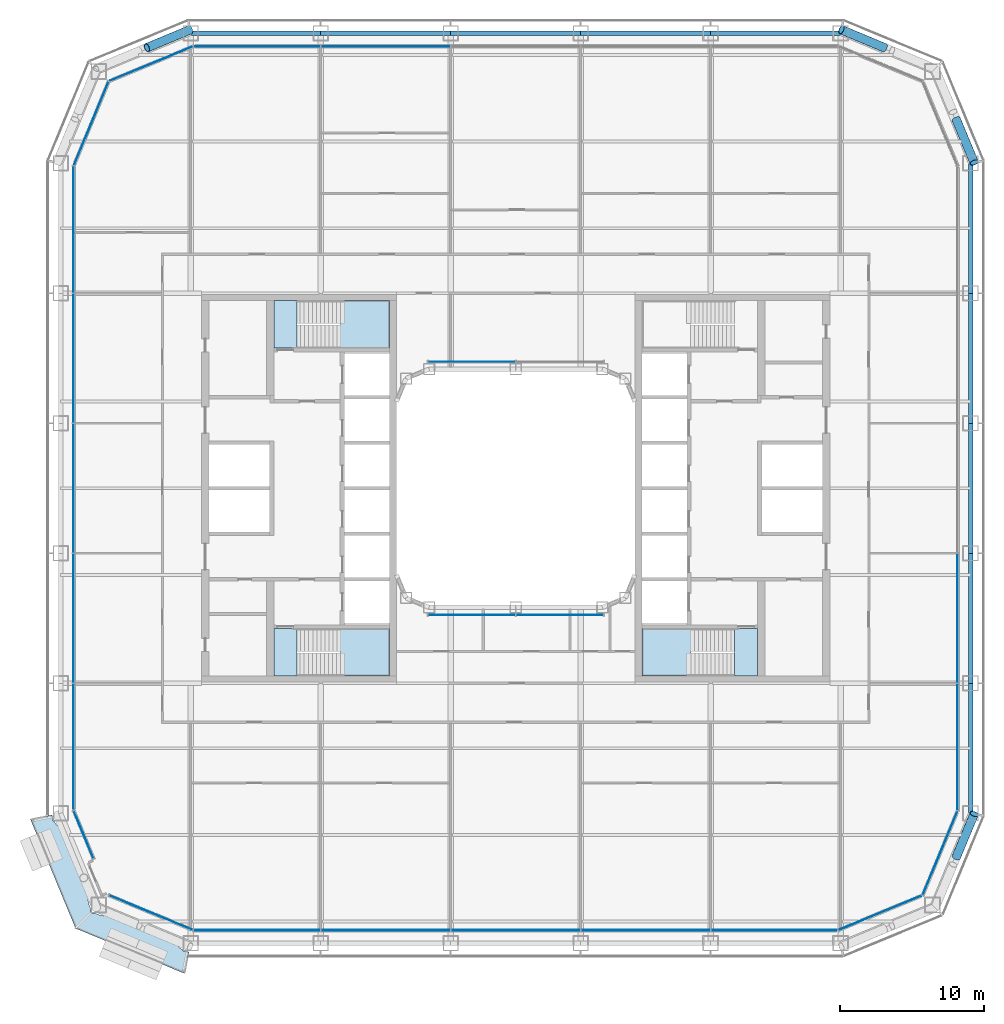
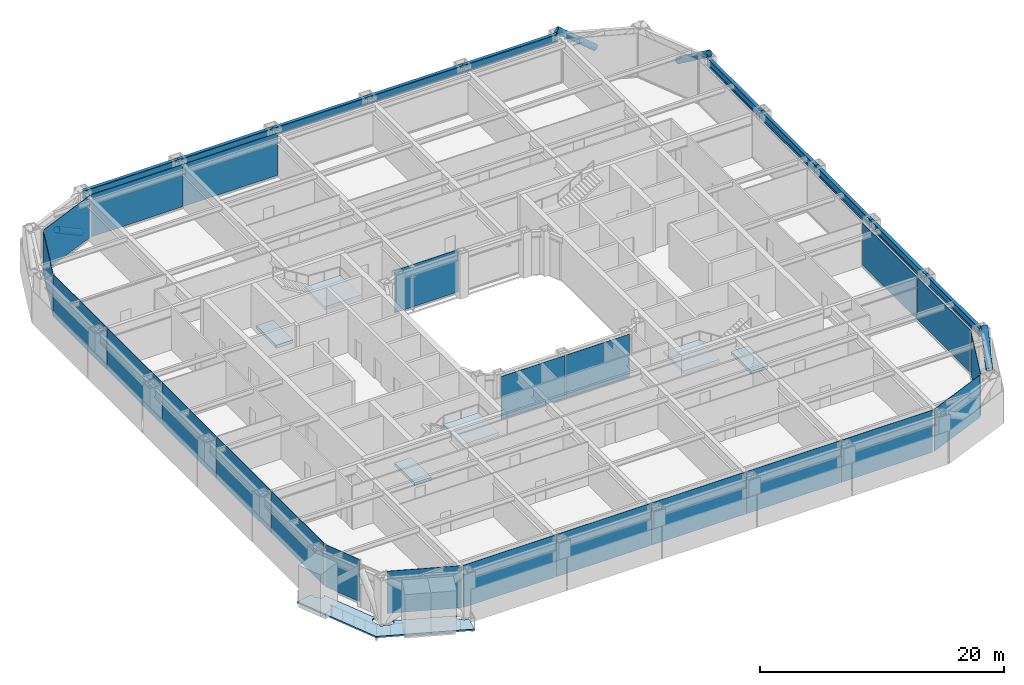
# One storey, part 11 of 27: 23 plates, 10 beams, 7 slabs, 4 members, 15 elements without a shape of their own.
"""IFC4 building model written with IfcOpenShell, lengths in metres."""

from ifc_helpers import new_model, si_unit, direction, frame, origin, origin_2d, place, context, subcontext, project, spatial, polyline, rectangle, hollow_circle, i_section, outline, extrude, material, layer, layer_set, material_profile, profile_set, type_object, element, aggregate, save


model = new_model("IFC4")

# Units and contexts
model_context = context("Model", 3, precision=1e-05, world=origin(), true_north=direction((0.0, 1.0)))
body_context = subcontext(model_context, "Body", "Model", "MODEL_VIEW")
ifc_project = project(units=[si_unit("LENGTHUNIT", "METRE"), si_unit("AREAUNIT", "SQUARE_METRE"), si_unit("VOLUMEUNIT", "CUBIC_METRE"), si_unit("PLANEANGLEUNIT", "RADIAN"), si_unit("MASSUNIT", "GRAM", prefix="KILO")], contexts=[model_context])

# Site, building, storey
site_placement = place(None, origin())
site = spatial("IfcSite", under=ifc_project, at=site_placement, CompositionType="ELEMENT")
building_placement = place(site_placement, origin())
building = spatial("IfcBuilding", under=site, at=building_placement, Name="Siwar Civic Tower", CompositionType="ELEMENT")
storey_placement = place(building_placement, frame((0.0, 0.0, 35.699951171875)))
storey = spatial("IfcBuildingStorey", under=building, at=storey_placement, Name="L07", CompositionType="ELEMENT", Elevation=35.699951171875)

# Members
ifc_material_1 = material(Name="Steel S355", Category="steel")
ifc_material_profile_1 = material_profile(ifc_material_1, hollow_circle(Radius=0.304931640625, WallThickness=0.030029296875, at=origin_2d()), Name="CHS610x30")
ifc_profile_set_1 = profile_set([ifc_material_profile_1], Name="Steel S355")
member_type = type_object("IfcMemberType", Name="STR-BR-CHS610x30", PredefinedType="BRACE", material=ifc_profile_set_1)
for number, where, z_axis, x_axis, name in (
    (1, (30.500244140625, -25.537353515625, 2.428466796875), (0.3238932121, 0.777559680196, 0.53897507446), (-0.923114847559, 0.384524353215, 0.0), "L07/brc/ASE1-6-0-3"),
    (2, (25.537353515625, 30.500244140625, 2.428466796875), (-0.777559680196, 0.3238932121, 0.53897507446), (-0.384524353215, -0.923114847559, 0.0), "L07/brc/ANE1-6-0-3"),
    (3, (30.500244140625, 25.537353515625, 2.428466796875), (0.3238932121, -0.777559680196, 0.53897507446), (0.923114847559, 0.384524353215, 0.0), "L07/brc/ANE1-6-0-5"),
    (4, (-22.548828125, 31.7451171875, 0.0), (-0.777533059308, -0.323882123145, 0.539020140617), (0.384524353215, -0.923114847559, 0.0), "L07/brc/ANW1-6-0-4"),
):
    element("IfcMember", number, at=place(storey_placement, frame(where, z_axis=z_axis, x_axis=x_axis)), inside=storey, type_object=member_type, Name=name, PredefinedType="BRACE", context=body_context, shape_type="SweptSolid", body=[
        extrude(hollow_circle(Radius=0.304931640625, WallThickness=0.030029296875, at=origin_2d()), origin(), (0.0, 0.0, 1.0), 3.843505859375),
    ])

# Beams
ifc_material_2 = material(Name="Steel S355", Category="steel")
ifc_material_profile_2 = material_profile(ifc_material_2, i_section(OverallWidth=0.302978515625, OverallDepth=0.81396484375, WebThickness=0.02099609375, FlangeThickness=0.0400390625, FilletRadius=0.030029296875, at=origin_2d()), Name="HEM800")
ifc_profile_set_2 = profile_set([ifc_material_profile_2], Name="Steel S355")
beam_type = type_object("IfcBeamType", Name="STR-SB-HEM800", PredefinedType="BEAM", material=ifc_profile_set_2)
for number, where, z_axis, x_axis, name in (
    (5, (31.5, -22.5, 3.943115234375), (0.0, 1.0, 0.0), (-1.0, 0.0, 0.0), "L07/bm/SE-0"),
    (6, (31.5, -13.5, 3.943115234375), (0.0, 1.0, 0.0), (-1.0, 0.0, 0.0), "L07/bm/SE-1"),
    (7, (31.5, -4.5, 3.943115234375), (0.0, 1.0, 0.0), (-1.0, 0.0, 0.0), "L07/bm/SE-2"),
    (8, (31.5, 4.5, 3.943115234375), (0.0, 1.0, 0.0), (-1.0, 0.0, 0.0), "L07/bm/SE-3"),
    (9, (31.5, 13.5, 3.943115234375), (0.0, 1.0, 0.0), (-1.0, 0.0, 0.0), "L07/bm/SE-4"),
    (10, (22.5, 31.5, 3.943115234375), (-1.0, 0.0, 0.0), (0.0, -1.0, 0.0), "L07/bm/SN-0"),
    (11, (13.5, 31.5, 3.943115234375), (-1.0, 0.0, 0.0), (0.0, -1.0, 0.0), "L07/bm/SN-1"),
    (12, (4.5, 31.5, 3.943115234375), (-1.0, 0.0, 0.0), (0.0, -1.0, 0.0), "L07/bm/SN-2"),
    (13, (-4.5, 31.5, 3.943115234375), (-1.0, 0.0, 0.0), (0.0, -1.0, 0.0), "L07/bm/SN-3"),
    (14, (-13.5, 31.5, 3.943115234375), (-1.0, 0.0, 0.0), (0.0, -1.0, 0.0), "L07/bm/SN-4"),
):
    element("IfcBeam", number, at=place(storey_placement, frame(where, z_axis=z_axis, x_axis=x_axis)), inside=storey, type_object=beam_type, Name=name, PredefinedType="BEAM", context=body_context, shape_type="SweptSolid", body=[
        extrude(i_section(OverallWidth=0.302978515625, OverallDepth=0.81396484375, WebThickness=0.02099609375, FlangeThickness=0.0400390625, FilletRadius=0.030029296875, at=origin_2d()), origin(), (0.0, 0.0, 1.0), 9.0),
    ])

# Stair, slabs
ifc_material_3 = material(Name="Concrete C40/50", Category="concrete")
stair_type = type_object("IfcStairType", Name="CORE-STAIR", PredefinedType="TWO_STRAIGHT_RUN_STAIR", material=ifc_material_3)
stair_1_placement = place(storey_placement, origin())
stair_1 = element("IfcStair", 15, at=stair_1_placement, inside=storey, type_object=stair_type, Name="Exit stair ST1", PredefinedType="TWO_STRAIGHT_RUN_STAIR")
ifc_material_4 = material(Name="Concrete C40/50", Category="concrete")
ifc_layer_1 = layer(ifc_material_4, 0.300048828125)
ifc_layer_set_1 = layer_set([ifc_layer_1], Name="Concrete C40/50")
slab_type_1 = type_object("IfcSlabType", Name="CORE-STAIR-LANDING", PredefinedType="LANDING", material=ifc_layer_set_1)
slab_1_placement = place(storey_placement, frame((0.0, 0.0, -0.300048828125)))
slab_1 = element("IfcSlab", 16, at=slab_1_placement, type_object=slab_type_1, Name="ST1 landing 1", PredefinedType="LANDING", context=body_context, shape_type="SweptSolid", body=[
    extrude(outline(polyline([(-15.14990234375, 13.0), (-16.75, 13.0), (-16.75, 9.699951171875), (-15.14990234375, 9.699951171875), (-15.14990234375, 13.0)])), origin(), (0.0, 0.0, 1.0), 0.300048828125),
])
slab_2_placement = place(storey_placement, frame((0.0, 0.0, 1.949951171875)))
slab_2 = element("IfcSlab", 17, at=slab_2_placement, type_object=slab_type_1, Name="ST1 landing 2", PredefinedType="LANDING", context=body_context, shape_type="SweptSolid", body=[
    extrude(outline(polyline([(-8.75, 13.0), (-12.139892578125, 13.0), (-12.139892578125, 9.699951171875), (-8.75, 9.699951171875), (-8.75, 13.0)])), origin(), (0.0, 0.0, 1.0), 0.300048828125),
])
aggregate(stair_1, [slab_1, slab_2])

stair_2_placement = place(storey_placement, origin())
stair_2 = element("IfcStair", 18, at=stair_2_placement, inside=storey, type_object=stair_type, Name="Exit stair ST2", PredefinedType="TWO_STRAIGHT_RUN_STAIR")
slab_3_placement = place(storey_placement, frame((0.0, 0.0, -0.300048828125)))
slab_3 = element("IfcSlab", 19, at=slab_3_placement, type_object=slab_type_1, Name="ST2 landing 1", PredefinedType="LANDING", context=body_context, shape_type="SweptSolid", body=[
    extrude(outline(polyline([(-15.14990234375, -9.699951171875), (-16.75, -9.699951171875), (-16.75, -13.0), (-15.14990234375, -13.0), (-15.14990234375, -9.699951171875)])), origin(), (0.0, 0.0, 1.0), 0.300048828125),
])
slab_4_placement = place(storey_placement, frame((0.0, 0.0, 1.949951171875)))
slab_4 = element("IfcSlab", 20, at=slab_4_placement, type_object=slab_type_1, Name="ST2 landing 2", PredefinedType="LANDING", context=body_context, shape_type="SweptSolid", body=[
    extrude(outline(polyline([(-8.75, -9.699951171875), (-12.139892578125, -9.699951171875), (-12.139892578125, -13.0), (-8.75, -13.0), (-8.75, -9.699951171875)])), origin(), (0.0, 0.0, 1.0), 0.300048828125),
])
aggregate(stair_2, [slab_3, slab_4])

stair_3_placement = place(storey_placement, origin())
stair_3 = element("IfcStair", 21, at=stair_3_placement, inside=storey, type_object=stair_type, Name="Exit stair ST4", PredefinedType="TWO_STRAIGHT_RUN_STAIR")
slab_5_placement = place(storey_placement, frame((0.0, 0.0, -0.300048828125)))
slab_5 = element("IfcSlab", 22, at=slab_5_placement, type_object=slab_type_1, Name="ST4 landing 1", PredefinedType="LANDING", context=body_context, shape_type="SweptSolid", body=[
    extrude(outline(polyline([(15.14990234375, -13.0), (16.75, -13.0), (16.75, -9.699951171875), (15.14990234375, -9.699951171875), (15.14990234375, -13.0)])), origin(), (0.0, 0.0, 1.0), 0.300048828125),
])
slab_6_placement = place(storey_placement, frame((0.0, 0.0, 1.949951171875)))
slab_6 = element("IfcSlab", 23, at=slab_6_placement, type_object=slab_type_1, Name="ST4 landing 2", PredefinedType="LANDING", context=body_context, shape_type="SweptSolid", body=[
    extrude(outline(polyline([(8.75, -13.0), (12.139892578125, -13.0), (12.139892578125, -9.699951171875), (8.75, -9.699951171875), (8.75, -13.0)])), origin(), (0.0, 0.0, 1.0), 0.300048828125),
])
aggregate(stair_3, [slab_5, slab_6])

# Slab
ifc_material_5 = material(Name="Concrete C40/50", Category="concrete")
ifc_layer_2 = layer(ifc_material_5, 0.14990234375)
ifc_layer_set_2 = layer_set([ifc_layer_2], Name="Concrete C40/50")
slab_type_2 = type_object("IfcSlabType", Name="ENV-BALCONY DECK 150", PredefinedType="FLOOR", material=ifc_layer_set_2)
slab_7_placement = place(storey_placement, frame((0.0, 0.0, -0.1494140625)))
element("IfcSlab", 24, at=slab_7_placement, inside=storey, type_object=slab_type_2, Name="Tree balcony deck SW", PredefinedType="FLOOR", context=body_context, shape_type="SweptSolid", body=[
    extrude(outline(polyline([(-28.9462890625, -29.49169921875), (-28.977294921875, -29.478759765625), (-29.10546875, -29.425537109375), (-29.116943359375, -29.420654296875), (-29.133056640625, -29.4140625), (-29.4140625, -29.4140625), (-29.4140625, -29.133056640625), (-29.478759765625, -28.977294921875), (-29.49169921875, -28.9462890625), (-29.514404296875, -28.891845703125), (-29.517578125, -28.884033203125), (-29.5185546875, -28.881591796875), (-29.5439453125, -28.814208984375), (-29.545654296875, -28.80908203125), (-29.56591796875, -28.739990234375), (-29.567138671875, -28.73486328125), (-29.58251953125, -28.66455078125), (-29.583984375, -28.6572265625), (-29.591064453125, -28.59375), (-29.59130859375, -28.59130859375), (-29.59716796875, -28.51953125), (-29.597412109375, -28.51318359375), (-29.59716796875, -28.506591796875), (-29.592041015625, -28.45068359375), (-29.59130859375, -28.445068359375), (-29.58203125, -28.389404296875), (-29.5810546875, -28.38427734375), (-29.56787109375, -28.32958984375), (-29.566162109375, -28.3232421875), (-29.56396484375, -28.3173828125), (-29.544189453125, -28.271484375), (-29.540771484375, -28.264404296875), (-29.53662109375, -28.2578125), (-29.5107421875, -28.221435546875), (-29.507080078125, -28.216552734375), (-29.502685546875, -28.2119140625), (-29.498291015625, -28.20751953125), (-29.467041015625, -28.180908203125), (-29.46142578125, -28.1767578125), (-29.45556640625, -28.173095703125), (-29.449462890625, -28.169921875), (-29.413330078125, -28.1533203125), (-29.408447265625, -28.151123046875), (-29.37109375, -28.13720703125), (-29.364501953125, -28.135009765625), (-29.35791015625, -28.133544921875), (-29.35107421875, -28.132568359375), (-29.31005859375, -28.129150390625), (-29.3037109375, -28.12890625), (-29.297607421875, -28.129150390625), (-29.29150390625, -28.1298828125), (-29.247314453125, -28.137451171875), (-29.23974609375, -28.13916015625), (-29.232177734375, -28.1416015625), (-29.185791015625, -28.159912109375), (-29.179931640625, -28.16259765625), (-29.17431640625, -28.16552734375), (-29.14599609375, -28.182861328125), (-31.20556640625, -23.210693359375), (-31.217529296875, -23.260986328125), (-31.21923828125, -23.26708984375), (-31.2216796875, -23.273193359375), (-31.2412109375, -23.31884765625), (-31.244873046875, -23.325927734375), (-31.2490234375, -23.332763671875), (-31.274658203125, -23.369140625), (-31.278564453125, -23.3740234375), (-31.28271484375, -23.378662109375), (-31.287353515625, -23.3828125), (-31.318603515625, -23.40966796875), (-31.323974609375, -23.413818359375), (-31.329833984375, -23.41748046875), (-31.3359375, -23.420654296875), (-31.3720703125, -23.437255859375), (-31.376953125, -23.439453125), (-31.414306640625, -23.453369140625), (-31.4208984375, -23.45556640625), (-31.427734375, -23.45703125), (-31.4345703125, -23.4580078125), (-31.4755859375, -23.46142578125), (-31.481689453125, -23.461669921875), (-31.488037109375, -23.461181640625), (-31.494140625, -23.46044921875), (-31.5380859375, -23.453125), (-31.5458984375, -23.451416015625), (-31.55322265625, -23.448974609375), (-31.599609375, -23.4306640625), (-31.60546875, -23.427978515625), (-31.611083984375, -23.4248046875), (-31.659423828125, -23.3955078125), (-31.66357421875, -23.392578125), (-31.709716796875, -23.360107421875), (-31.717529296875, -23.353515625), (-31.764404296875, -23.309814453125), (-31.76806640625, -23.30615234375), (-31.8115234375, -23.25927734375), (-31.815185546875, -23.255126953125), (-31.85498046875, -23.205322265625), (-31.859619140625, -23.198974609375), (-31.898681640625, -23.138671875), (-31.9013671875, -23.134033203125), (-31.93603515625, -23.07080078125), (-31.9384765625, -23.06591796875), (-31.94580078125, -23.050048828125), (-32.050048828125, -23.050048828125), (-32.050048828125, -22.80517578125), (-32.0927734375, -22.70263671875), (-32.095947265625, -22.69482421875), (-32.095947265625, -22.69482421875), (-32.098388671875, -22.688232421875), (-32.1064453125, -22.662109375), (-32.108154296875, -22.6552734375), (-32.109375, -22.648193359375), (-32.1123046875, -22.621826171875), (-33.60009765625, -22.917724609375), (-30.47119140625, -30.47119140625), (-22.917724609375, -33.60009765625), (-22.62109375, -32.1083984375), (-22.6259765625, -32.1083984375), (-22.6484375, -32.107421875), (-22.649658203125, -32.107421875), (-22.6513671875, -32.107421875), (-22.655029296875, -32.10693359375), (-22.656982421875, -32.106689453125), (-22.65771484375, -32.1064453125), (-22.658447265625, -32.1064453125), (-22.66552734375, -32.104736328125), (-22.686279296875, -32.098876953125), (-22.69482421875, -32.095947265625), (-22.70263671875, -32.0927734375), (-22.719970703125, -32.085693359375), (-22.72607421875, -32.0830078125), (-22.749267578125, -32.0732421875), (-22.7587890625, -32.0693359375), (-22.80517578125, -32.050048828125), (-23.050048828125, -32.050048828125), (-23.050048828125, -31.94580078125), (-23.06591796875, -31.9384765625), (-23.07080078125, -31.93603515625), (-23.134033203125, -31.9013671875), (-23.138671875, -31.898681640625), (-23.198974609375, -31.859619140625), (-23.205322265625, -31.85498046875), (-23.255126953125, -31.815185546875), (-23.25927734375, -31.8115234375), (-23.30615234375, -31.76806640625), (-23.309814453125, -31.764404296875), (-23.353515625, -31.717529296875), (-23.360107421875, -31.709716796875), (-23.392578125, -31.66357421875), (-23.3955078125, -31.659423828125), (-23.4248046875, -31.611083984375), (-23.427978515625, -31.60546875), (-23.4306640625, -31.599609375), (-23.448974609375, -31.55322265625), (-23.451416015625, -31.5458984375), (-23.453125, -31.5380859375), (-23.46044921875, -31.494140625), (-23.461181640625, -31.488037109375), (-23.461669921875, -31.481689453125), (-23.46142578125, -31.4755859375), (-23.4580078125, -31.4345703125), (-23.45703125, -31.427734375), (-23.45556640625, -31.4208984375), (-23.453369140625, -31.414306640625), (-23.439453125, -31.376953125), (-23.437255859375, -31.3720703125), (-23.420654296875, -31.3359375), (-23.41748046875, -31.329833984375), (-23.413818359375, -31.323974609375), (-23.40966796875, -31.318603515625), (-23.3828125, -31.287353515625), (-23.378662109375, -31.28271484375), (-23.3740234375, -31.278564453125), (-23.369140625, -31.274658203125), (-23.332763671875, -31.2490234375), (-23.325927734375, -31.244873046875), (-23.31884765625, -31.2412109375), (-23.273193359375, -31.2216796875), (-23.26708984375, -31.21923828125), (-23.260986328125, -31.217529296875), (-23.210693359375, -31.20556640625), (-28.182861328125, -29.14599609375), (-28.16552734375, -29.17431640625), (-28.16259765625, -29.179931640625), (-28.159912109375, -29.185791015625), (-28.1416015625, -29.232177734375), (-28.13916015625, -29.23974609375), (-28.137451171875, -29.247314453125), (-28.1298828125, -29.29150390625), (-28.129150390625, -29.297607421875), (-28.12890625, -29.3037109375), (-28.129150390625, -29.31005859375), (-28.132568359375, -29.35107421875), (-28.133544921875, -29.35791015625), (-28.135009765625, -29.364501953125), (-28.13720703125, -29.37109375), (-28.151123046875, -29.408447265625), (-28.1533203125, -29.413330078125), (-28.169921875, -29.449462890625), (-28.173095703125, -29.45556640625), (-28.1767578125, -29.46142578125), (-28.180908203125, -29.467041015625), (-28.20751953125, -29.498291015625), (-28.2119140625, -29.502685546875), (-28.216552734375, -29.507080078125), (-28.221435546875, -29.5107421875), (-28.2578125, -29.53662109375), (-28.264404296875, -29.540771484375), (-28.271484375, -29.544189453125), (-28.3173828125, -29.56396484375), (-28.3232421875, -29.566162109375), (-28.32958984375, -29.56787109375), (-28.38427734375, -29.5810546875), (-28.389404296875, -29.58203125), (-28.445068359375, -29.59130859375), (-28.45068359375, -29.592041015625), (-28.506591796875, -29.59716796875), (-28.51318359375, -29.597412109375), (-28.51953125, -29.59716796875), (-28.59130859375, -29.59130859375), (-28.59375, -29.591064453125), (-28.6572265625, -29.583984375), (-28.66455078125, -29.58251953125), (-28.73486328125, -29.567138671875), (-28.739990234375, -29.56591796875), (-28.80908203125, -29.545654296875), (-28.814208984375, -29.5439453125), (-28.881591796875, -29.5185546875), (-28.884033203125, -29.517578125), (-28.891845703125, -29.514404296875), (-28.9462890625, -29.49169921875)])), origin(), (0.0, 0.0, 1.0), 0.1494140625),
])

# Curtain wall, plates
ifc_material_6 = material(Name="Aluminium and glass", Category="aluminium")
ifc_layer_3 = layer(ifc_material_6, 0.219970703125)
ifc_layer_set_3 = layer_set([ifc_layer_3], Name="Aluminium and glass")
curtain_wall_type_1 = type_object("IfcCurtainWallType", Name="ENV-CW-A", PredefinedType="NOTDEFINED", material=ifc_layer_set_3)
curtain_wall_1_placement = place(storey_placement, origin())
curtain_wall_1 = element("IfcCurtainWall", 25, at=curtain_wall_1_placement, inside=storey, type_object=curtain_wall_type_1, Name="Curtain wall A S", PredefinedType="NOTDEFINED")
ifc_material_7 = material(Name="Glass clear laminated", Category="glass")
ifc_layer_4 = layer(ifc_material_7, 0.035888671875)
ifc_layer_set_4 = layer_set([ifc_layer_4], Name="Glass clear laminated")
plate_type_1 = type_object("IfcPlateType", Name="ENV-PANEL-A", PredefinedType="CURTAIN_PANEL", material=ifc_layer_set_4)
plate_1_placement = place(storey_placement, frame((-17.910400390625, -30.60009765625, 0.1201171875), z_axis=(0.0, 0.0, 1.0), x_axis=(1.0, 0.0, 0.0)))
plate_1 = element("IfcPlate", 26, at=plate_1_placement, type_object=plate_type_1, Name="Curtain panel A S 1", PredefinedType="CURTAIN_PANEL", context=body_context, shape_type="SweptSolid", body=[
    extrude(rectangle(XDim=8.7509765625, YDim=0.035888671875, at=origin_2d()), origin(), (0.0, 0.0, 1.0), 4.22998046875),
])
plate_2_placement = place(storey_placement, frame((-9.0, -30.60009765625, 0.1201171875), z_axis=(0.0, 0.0, 1.0), x_axis=(1.0, 0.0, 0.0)))
plate_2 = element("IfcPlate", 27, at=plate_2_placement, type_object=plate_type_1, Name="Curtain panel A S 2", PredefinedType="CURTAIN_PANEL", context=body_context, shape_type="SweptSolid", body=[
    extrude(rectangle(XDim=8.929931640625, YDim=0.035888671875, at=origin_2d()), origin(), (0.0, 0.0, 1.0), 4.22998046875),
])
plate_3_placement = place(storey_placement, frame((0.0, -30.60009765625, 0.1201171875), z_axis=(0.0, 0.0, 1.0), x_axis=(1.0, 0.0, 0.0)))
plate_3 = element("IfcPlate", 28, at=plate_3_placement, type_object=plate_type_1, Name="Curtain panel A S 3", PredefinedType="CURTAIN_PANEL", context=body_context, shape_type="SweptSolid", body=[
    extrude(rectangle(XDim=8.929931640625, YDim=0.035888671875, at=origin_2d()), origin(), (0.0, 0.0, 1.0), 4.22998046875),
])
plate_4_placement = place(storey_placement, frame((9.0, -30.60009765625, 0.1201171875), z_axis=(0.0, 0.0, 1.0), x_axis=(1.0, 0.0, 0.0)))
plate_4 = element("IfcPlate", 29, at=plate_4_placement, type_object=plate_type_1, Name="Curtain panel A S 4", PredefinedType="CURTAIN_PANEL", context=body_context, shape_type="SweptSolid", body=[
    extrude(rectangle(XDim=8.929931640625, YDim=0.035888671875, at=origin_2d()), origin(), (0.0, 0.0, 1.0), 4.22998046875),
])
plate_5_placement = place(storey_placement, frame((17.86669921875, -30.60009765625, 0.1201171875), z_axis=(0.0, 0.0, 1.0), x_axis=(1.0, 0.0, 0.0)))
plate_5 = element("IfcPlate", 30, at=plate_5_placement, type_object=plate_type_1, Name="Curtain panel A S 5", PredefinedType="CURTAIN_PANEL", context=body_context, shape_type="SweptSolid", body=[
    extrude(rectangle(XDim=8.663330078125, YDim=0.035888671875, at=origin_2d()), origin(), (0.0, 0.0, 1.0), 4.22998046875),
])
aggregate(curtain_wall_1, [plate_1, plate_2, plate_3, plate_4, plate_5])

curtain_wall_2_placement = place(storey_placement, origin())
curtain_wall_2 = element("IfcCurtainWall", 31, at=curtain_wall_2_placement, inside=storey, type_object=curtain_wall_type_1, Name="Curtain wall A E", PredefinedType="NOTDEFINED")
plate_6_placement = place(storey_placement, frame((30.60009765625, -17.910400390625, 0.1201171875), z_axis=(0.0, 0.0, 1.0), x_axis=(0.0, 1.0, 0.0)))
plate_6 = element("IfcPlate", 32, at=plate_6_placement, type_object=plate_type_1, Name="Curtain panel A E 1", PredefinedType="CURTAIN_PANEL", context=body_context, shape_type="SweptSolid", body=[
    extrude(rectangle(XDim=8.7509765625, YDim=0.035888671875, at=origin_2d()), origin(), (0.0, 0.0, 1.0), 4.22998046875),
])
plate_7_placement = place(storey_placement, frame((30.60009765625, -9.0, 0.1201171875), z_axis=(0.0, 0.0, 1.0), x_axis=(0.0, 1.0, 0.0)))
plate_7 = element("IfcPlate", 33, at=plate_7_placement, type_object=plate_type_1, Name="Curtain panel A E 2", PredefinedType="CURTAIN_PANEL", context=body_context, shape_type="SweptSolid", body=[
    extrude(rectangle(XDim=8.929931640625, YDim=0.035888671875, at=origin_2d()), origin(), (0.0, 0.0, 1.0), 4.22998046875),
])
aggregate(curtain_wall_2, [plate_6, plate_7])

curtain_wall_3_placement = place(storey_placement, origin())
curtain_wall_3 = element("IfcCurtainWall", 34, at=curtain_wall_3_placement, inside=storey, type_object=curtain_wall_type_1, Name="Curtain wall A N", PredefinedType="NOTDEFINED")
plate_8_placement = place(storey_placement, frame((-9.0, 30.60009765625, 0.1201171875), z_axis=(0.0, 0.0, 1.0), x_axis=(-1.0, 0.0, 0.0)))
plate_8 = element("IfcPlate", 35, at=plate_8_placement, type_object=plate_type_1, Name="Curtain panel A N 4", PredefinedType="CURTAIN_PANEL", context=body_context, shape_type="SweptSolid", body=[
    extrude(rectangle(XDim=8.929931640625, YDim=0.035888671875, at=origin_2d()), origin(), (0.0, 0.0, 1.0), 4.22998046875),
])
plate_9_placement = place(storey_placement, frame((-17.86669921875, 30.60009765625, 0.1201171875), z_axis=(0.0, 0.0, 1.0), x_axis=(-1.0, 0.0, 0.0)))
plate_9 = element("IfcPlate", 36, at=plate_9_placement, type_object=plate_type_1, Name="Curtain panel A N 5", PredefinedType="CURTAIN_PANEL", context=body_context, shape_type="SweptSolid", body=[
    extrude(rectangle(XDim=8.663330078125, YDim=0.035888671875, at=origin_2d()), origin(), (0.0, 0.0, 1.0), 4.22998046875),
])
aggregate(curtain_wall_3, [plate_8, plate_9])

curtain_wall_4_placement = place(storey_placement, origin())
curtain_wall_4 = element("IfcCurtainWall", 37, at=curtain_wall_4_placement, inside=storey, type_object=curtain_wall_type_1, Name="Curtain wall A W", PredefinedType="NOTDEFINED")
plate_10_placement = place(storey_placement, frame((-30.60009765625, 17.910400390625, 0.1201171875), z_axis=(0.0, 0.0, 1.0), x_axis=(0.0, -1.0, 0.0)))
plate_10 = element("IfcPlate", 38, at=plate_10_placement, type_object=plate_type_1, Name="Curtain panel A W 1", PredefinedType="CURTAIN_PANEL", context=body_context, shape_type="SweptSolid", body=[
    extrude(rectangle(XDim=8.7509765625, YDim=0.035888671875, at=origin_2d()), origin(), (0.0, 0.0, 1.0), 4.22998046875),
])
plate_11_placement = place(storey_placement, frame((-30.60009765625, 9.0, 0.1201171875), z_axis=(0.0, 0.0, 1.0), x_axis=(0.0, -1.0, 0.0)))
plate_11 = element("IfcPlate", 39, at=plate_11_placement, type_object=plate_type_1, Name="Curtain panel A W 2", PredefinedType="CURTAIN_PANEL", context=body_context, shape_type="SweptSolid", body=[
    extrude(rectangle(XDim=8.929931640625, YDim=0.035888671875, at=origin_2d()), origin(), (0.0, 0.0, 1.0), 4.22998046875),
])
plate_12_placement = place(storey_placement, frame((-30.60009765625, 0.0, 0.1201171875), z_axis=(0.0, 0.0, 1.0), x_axis=(0.0, -1.0, 0.0)))
plate_12 = element("IfcPlate", 40, at=plate_12_placement, type_object=plate_type_1, Name="Curtain panel A W 3", PredefinedType="CURTAIN_PANEL", context=body_context, shape_type="SweptSolid", body=[
    extrude(rectangle(XDim=8.929931640625, YDim=0.035888671875, at=origin_2d()), origin(), (0.0, 0.0, 1.0), 4.22998046875),
])
plate_13_placement = place(storey_placement, frame((-30.60009765625, -9.0, 0.1201171875), z_axis=(0.0, 0.0, 1.0), x_axis=(0.0, -1.0, 0.0)))
plate_13 = element("IfcPlate", 41, at=plate_13_placement, type_object=plate_type_1, Name="Curtain panel A W 4", PredefinedType="CURTAIN_PANEL", context=body_context, shape_type="SweptSolid", body=[
    extrude(rectangle(XDim=8.929931640625, YDim=0.035888671875, at=origin_2d()), origin(), (0.0, 0.0, 1.0), 4.22998046875),
])
plate_14_placement = place(storey_placement, frame((-30.60009765625, -17.86669921875, 0.1201171875), z_axis=(0.0, 0.0, 1.0), x_axis=(0.0, -1.0, 0.0)))
plate_14 = element("IfcPlate", 42, at=plate_14_placement, type_object=plate_type_1, Name="Curtain panel A W 5", PredefinedType="CURTAIN_PANEL", context=body_context, shape_type="SweptSolid", body=[
    extrude(rectangle(XDim=8.663330078125, YDim=0.035888671875, at=origin_2d()), origin(), (0.0, 0.0, 1.0), 4.22998046875),
])
aggregate(curtain_wall_4, [plate_10, plate_11, plate_12, plate_13, plate_14])

# Curtain wall, plate
ifc_material_8 = material(Name="Aluminium clad insulated panel", Category="aluminium")
ifc_layer_5 = layer(ifc_material_8, 0.219970703125)
ifc_layer_set_5 = layer_set([ifc_layer_5], Name="Aluminium clad insulated panel")
curtain_wall_type_2 = type_object("IfcCurtainWallType", Name="ENV-CW-AX", PredefinedType="NOTDEFINED", material=ifc_layer_set_5)
curtain_wall_5_placement = place(storey_placement, origin())
curtain_wall_5 = element("IfcCurtainWall", 43, at=curtain_wall_5_placement, inside=storey, type_object=curtain_wall_type_2, Name="Curtain wall A SE1", PredefinedType="NOTDEFINED")
ifc_material_9 = material(Name="Aluminium clad insulated panel", Category="aluminium")
ifc_layer_6 = layer(ifc_material_9, 0.035888671875)
ifc_layer_set_6 = layer_set([ifc_layer_6], Name="Aluminium clad insulated panel")
plate_type_2 = type_object("IfcPlateType", Name="ENV-PANEL-AX", PredefinedType="CURTAIN_PANEL", material=ifc_layer_set_6)
plate_15_placement = place(storey_placement, frame((25.20751953125, -29.404296875, 0.1201171875), z_axis=(0.0, 0.0, 1.0), x_axis=(0.923879532511, 0.382683432365, 0.0)))
plate_15 = element("IfcPlate", 44, at=plate_15_placement, type_object=plate_type_2, Name="Curtain panel A SE1 1", PredefinedType="CURTAIN_PANEL", context=body_context, shape_type="SweptSolid", body=[
    extrude(rectangle(XDim=6.178955078125, YDim=0.035888671875, at=origin_2d()), origin(), (0.0, 0.0, 1.0), 4.22998046875),
])
aggregate(curtain_wall_5, [plate_15])

curtain_wall_6_placement = place(storey_placement, origin())
curtain_wall_6 = element("IfcCurtainWall", 45, at=curtain_wall_6_placement, inside=storey, type_object=curtain_wall_type_2, Name="Curtain wall A SE2", PredefinedType="NOTDEFINED")
plate_16_placement = place(storey_placement, frame((29.370849609375, -25.28857421875, 0.1201171875), z_axis=(0.0, 0.0, 1.0), x_axis=(0.382683432365, 0.923879532511, 0.0)))
plate_16 = element("IfcPlate", 46, at=plate_16_placement, type_object=plate_type_2, Name="Curtain panel A SE2 1", PredefinedType="CURTAIN_PANEL", context=body_context, shape_type="SweptSolid", body=[
    extrude(rectangle(XDim=6.178955078125, YDim=0.035888671875, at=origin_2d()), origin(), (0.0, 0.0, 1.0), 4.22998046875),
])
aggregate(curtain_wall_6, [plate_16])

curtain_wall_7_placement = place(storey_placement, origin())
curtain_wall_7 = element("IfcCurtainWall", 47, at=curtain_wall_7_placement, inside=storey, type_object=curtain_wall_type_2, Name="Curtain wall A NW1", PredefinedType="NOTDEFINED")
plate_17_placement = place(storey_placement, frame((-25.20751953125, 29.404296875, 0.1201171875), z_axis=(0.0, 0.0, 1.0), x_axis=(-0.923879532511, -0.382683432365, 0.0)))
plate_17 = element("IfcPlate", 48, at=plate_17_placement, type_object=plate_type_2, Name="Curtain panel A NW1 1", PredefinedType="CURTAIN_PANEL", context=body_context, shape_type="SweptSolid", body=[
    extrude(rectangle(XDim=6.178955078125, YDim=0.035888671875, at=origin_2d()), origin(), (0.0, 0.0, 1.0), 4.22998046875),
])
aggregate(curtain_wall_7, [plate_17])

curtain_wall_8_placement = place(storey_placement, origin())
curtain_wall_8 = element("IfcCurtainWall", 49, at=curtain_wall_8_placement, inside=storey, type_object=curtain_wall_type_2, Name="Curtain wall A NW2", PredefinedType="NOTDEFINED")
plate_18_placement = place(storey_placement, frame((-29.370849609375, 25.28857421875, 0.1201171875), z_axis=(0.0, 0.0, 1.0), x_axis=(-0.382683432365, -0.923879532511, 0.0)))
plate_18 = element("IfcPlate", 50, at=plate_18_placement, type_object=plate_type_2, Name="Curtain panel A NW2 1", PredefinedType="CURTAIN_PANEL", context=body_context, shape_type="SweptSolid", body=[
    extrude(rectangle(XDim=6.178955078125, YDim=0.035888671875, at=origin_2d()), origin(), (0.0, 0.0, 1.0), 4.22998046875),
])
aggregate(curtain_wall_8, [plate_18])

curtain_wall_9_placement = place(storey_placement, origin())
curtain_wall_9 = element("IfcCurtainWall", 51, at=curtain_wall_9_placement, inside=storey, type_object=curtain_wall_type_2, Name="Curtain wall A SW1", PredefinedType="NOTDEFINED")
plate_19_placement = place(storey_placement, frame((-29.90966796875, -23.9873046875, 0.1201171875), z_axis=(0.0, 0.0, 1.0), x_axis=(0.382683432365, -0.923879532511, 0.0)))
plate_19 = element("IfcPlate", 52, at=plate_19_placement, type_object=plate_type_2, Name="Curtain panel A SW1 1", PredefinedType="CURTAIN_PANEL", context=body_context, shape_type="SweptSolid", body=[
    extrude(rectangle(XDim=3.537353515625, YDim=0.035888671875, at=origin_2d()), origin(), (0.0, 0.0, 1.0), 4.22998046875),
])
aggregate(curtain_wall_9, [plate_19])

curtain_wall_10_placement = place(storey_placement, origin())
curtain_wall_10 = element("IfcCurtainWall", 53, at=curtain_wall_10_placement, inside=storey, type_object=curtain_wall_type_2, Name="Curtain wall A SW2", PredefinedType="NOTDEFINED")
plate_20_placement = place(storey_placement, frame((-25.28857421875, -29.370849609375, 0.1201171875), z_axis=(0.0, 0.0, 1.0), x_axis=(0.923879532511, -0.382683432365, 0.0)))
plate_20 = element("IfcPlate", 54, at=plate_20_placement, type_object=plate_type_2, Name="Curtain panel A SW2 1", PredefinedType="CURTAIN_PANEL", context=body_context, shape_type="SweptSolid", body=[
    extrude(rectangle(XDim=6.178955078125, YDim=0.035888671875, at=origin_2d()), origin(), (0.0, 0.0, 1.0), 4.22998046875),
])
aggregate(curtain_wall_10, [plate_20])

# Curtain wall, plates
ifc_material_10 = material(Name="Aluminium and glass", Category="aluminium")
ifc_layer_7 = layer(ifc_material_10, 0.179931640625)
ifc_layer_set_7 = layer_set([ifc_layer_7], Name="Aluminium and glass")
curtain_wall_type_3 = type_object("IfcCurtainWallType", Name="ENV-CW-W", PredefinedType="NOTDEFINED", material=ifc_layer_set_7)
curtain_wall_11_placement = place(storey_placement, origin())
curtain_wall_11 = element("IfcCurtainWall", 55, at=curtain_wall_11_placement, inside=storey, type_object=curtain_wall_type_3, Name="Curtain wall W WS", PredefinedType="NOTDEFINED")
ifc_material_11 = material(Name="Glass clear laminated", Category="glass")
ifc_layer_8 = layer(ifc_material_11, 0.031982421875)
ifc_layer_set_8 = layer_set([ifc_layer_8], Name="Glass clear laminated")
plate_type_3 = type_object("IfcPlateType", Name="ENV-PANEL-W", PredefinedType="CURTAIN_PANEL", material=ifc_layer_set_8)
plate_21_placement = place(storey_placement, frame((-3.05078125, -8.760009765625, 0.10009765625), z_axis=(0.0, 0.0, 1.0), x_axis=(1.0, 0.0, 0.0)))
plate_21 = element("IfcPlate", 56, at=plate_21_placement, type_object=plate_type_3, Name="Curtain panel W WS 1", PredefinedType="CURTAIN_PANEL", context=body_context, shape_type="SweptSolid", body=[
    extrude(rectangle(XDim=6.04150390625, YDim=0.031982421875, at=origin_2d()), origin(), (0.0, 0.0, 1.0), 4.25),
])
plate_22_placement = place(storey_placement, frame((3.05078125, -8.760009765625, 0.10009765625), z_axis=(0.0, 0.0, 1.0), x_axis=(1.0, 0.0, 0.0)))
plate_22 = element("IfcPlate", 57, at=plate_22_placement, type_object=plate_type_3, Name="Curtain panel W WS 2", PredefinedType="CURTAIN_PANEL", context=body_context, shape_type="SweptSolid", body=[
    extrude(rectangle(XDim=6.04150390625, YDim=0.031982421875, at=origin_2d()), origin(), (0.0, 0.0, 1.0), 4.25),
])
aggregate(curtain_wall_11, [plate_21, plate_22])

# Curtain wall, plate
curtain_wall_12_placement = place(storey_placement, origin())
curtain_wall_12 = element("IfcCurtainWall", 58, at=curtain_wall_12_placement, inside=storey, type_object=curtain_wall_type_3, Name="Curtain wall W WN", PredefinedType="NOTDEFINED")
plate_23_placement = place(storey_placement, frame((-3.05078125, 8.760009765625, 0.10009765625), z_axis=(0.0, 0.0, 1.0), x_axis=(-1.0, 0.0, 0.0)))
plate_23 = element("IfcPlate", 59, at=plate_23_placement, type_object=plate_type_3, Name="Curtain panel W WN 2", PredefinedType="CURTAIN_PANEL", context=body_context, shape_type="SweptSolid", body=[
    extrude(rectangle(XDim=6.04150390625, YDim=0.031982421875, at=origin_2d()), origin(), (0.0, 0.0, 1.0), 4.25),
])
aggregate(curtain_wall_12, [plate_23])

save(model, "model.ifc")
